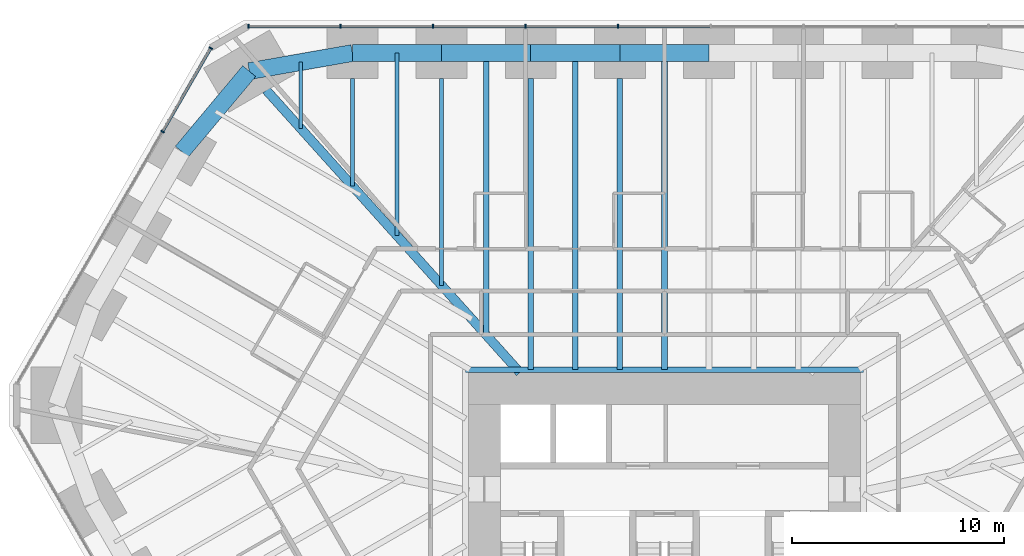
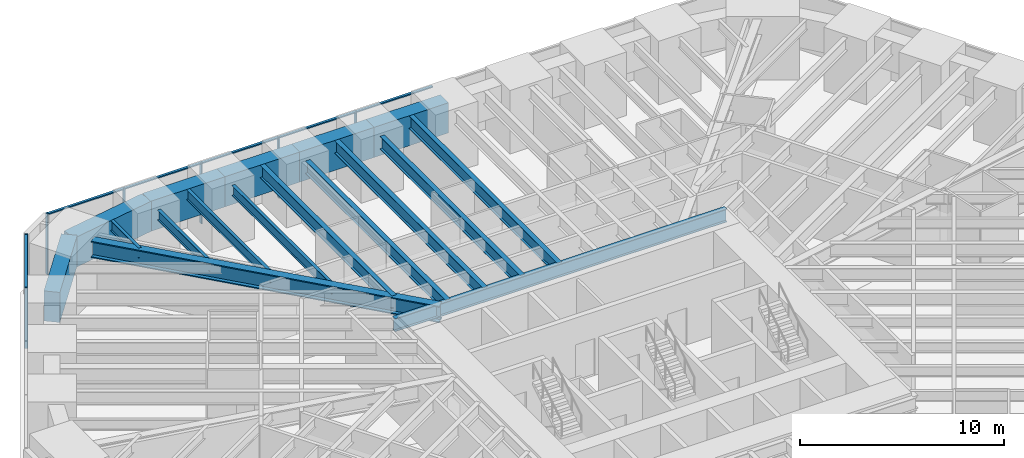
# One storey, part 8 of 17: 17 beams, 13 members, 2 elements without a shape of their own.
"""IFC4 building model written with IfcOpenShell, lengths in metres."""

from ifc_helpers import new_model, si_unit, direction, frame, origin, origin_2d, place, context, subcontext, project, spatial, rectangle, i_section, extrude, material, material_profile, profile_set, type_object, element, aggregate, save


model = new_model("IFC4")

# Units and contexts
model_context = context("Model", 3, precision=1e-05, world=origin(), true_north=direction((0.0, 1.0)))
body_context = subcontext(model_context, "Body", "Model", "MODEL_VIEW")
ifc_project = project(units=[si_unit("LENGTHUNIT", "METRE"), si_unit("AREAUNIT", "SQUARE_METRE"), si_unit("VOLUMEUNIT", "CUBIC_METRE"), si_unit("PLANEANGLEUNIT", "RADIAN"), si_unit("MASSUNIT", "GRAM", prefix="KILO")], contexts=[model_context])

# Site, building, storey
site_placement = place(None, origin())
site = spatial("IfcSite", under=ifc_project, at=site_placement, CompositionType="ELEMENT")
building_placement = place(site_placement, origin())
building = spatial("IfcBuilding", under=site, at=building_placement, Name="Sandreach Pilgrim Tower", CompositionType="ELEMENT")
storey_placement = place(building_placement, frame((0.0, 0.0, 45.800048828125)))
storey = spatial("IfcBuildingStorey", under=building, at=storey_placement, Name="L10", CompositionType="ELEMENT", Elevation=45.800048828125)

# Curtain wall, members
ifc_material_1 = material(Name="Aluminium framed curtain wall", Category="aluminium")
curtain_wall_type = type_object("IfcCurtainWallType", Name="Hostel tower curtain wall", PredefinedType="NOTDEFINED", material=ifc_material_1)
curtain_wall_1_placement = place(storey_placement, origin())
curtain_wall_1 = element("IfcCurtainWall", 1, at=curtain_wall_1_placement, inside=storey, type_object=curtain_wall_type, Name="CW-1 L10 N", PredefinedType="NOTDEFINED")
ifc_material_2 = material(Name="Aluminium extrusion", Category="aluminium")
ifc_material_profile_1 = material_profile(ifc_material_2, rectangle(XDim=0.06494140625, YDim=0.179931640625, at=origin_2d()), Name="CW-1M 65X180")
ifc_profile_set_1 = profile_set([ifc_material_profile_1], Name="Aluminium extrusion")
member_type_1 = type_object("IfcMemberType", Name="CW-1 mullion", PredefinedType="MULLION", material=ifc_profile_set_1)
member_1_placement = place(storey_placement, frame((-19.6396484375, 23.94873046875, 0.0), z_axis=(0.0, 0.0, 1.0), x_axis=(1.0, 0.0, 0.0)))
member_1 = element("IfcMember", 2, at=member_1_placement, type_object=member_type_1, Name="CW-1 mullion 1", PredefinedType="MULLION", context=body_context, shape_type="SweptSolid", body=[
    extrude(rectangle(XDim=0.06494140625, YDim=0.179931640625, at=origin_2d()), origin(), (0.0, 0.0, 1.0), 3.639892578125),
])
member_2_placement = place(storey_placement, frame((-15.300537109375, 23.94873046875, 0.0), z_axis=(0.0, 0.0, 1.0), x_axis=(1.0, 0.0, 0.0)))
member_2 = element("IfcMember", 3, at=member_2_placement, type_object=member_type_1, Name="CW-1 mullion 2", PredefinedType="MULLION", context=body_context, shape_type="SweptSolid", body=[
    extrude(rectangle(XDim=0.06494140625, YDim=0.179931640625, at=origin_2d()), origin(), (0.0, 0.0, 1.0), 3.639892578125),
])
member_3_placement = place(storey_placement, frame((-10.928955078125, 23.94873046875, 0.0), z_axis=(0.0, 0.0, 1.0), x_axis=(1.0, 0.0, 0.0)))
member_3 = element("IfcMember", 4, at=member_3_placement, type_object=member_type_1, Name="CW-1 mullion 3", PredefinedType="MULLION", context=body_context, shape_type="SweptSolid", body=[
    extrude(rectangle(XDim=0.06494140625, YDim=0.179931640625, at=origin_2d()), origin(), (0.0, 0.0, 1.0), 3.639892578125),
])
member_4_placement = place(storey_placement, frame((-6.557373046875, 23.94873046875, 0.0), z_axis=(0.0, 0.0, 1.0), x_axis=(1.0, 0.0, 0.0)))
member_4 = element("IfcMember", 5, at=member_4_placement, type_object=member_type_1, Name="CW-1 mullion 4", PredefinedType="MULLION", context=body_context, shape_type="SweptSolid", body=[
    extrude(rectangle(XDim=0.06494140625, YDim=0.179931640625, at=origin_2d()), origin(), (0.0, 0.0, 1.0), 3.639892578125),
])
member_5_placement = place(storey_placement, frame((-2.185791015625, 23.94873046875, 0.0), z_axis=(0.0, 0.0, 1.0), x_axis=(1.0, 0.0, 0.0)))
member_5 = element("IfcMember", 6, at=member_5_placement, type_object=member_type_1, Name="CW-1 mullion 5", PredefinedType="MULLION", context=body_context, shape_type="SweptSolid", body=[
    extrude(rectangle(XDim=0.06494140625, YDim=0.179931640625, at=origin_2d()), origin(), (0.0, 0.0, 1.0), 3.639892578125),
])

curtain_wall_2_placement = place(storey_placement, origin())
curtain_wall_2 = element("IfcCurtainWall", 7, at=curtain_wall_2_placement, inside=storey, type_object=curtain_wall_type, Name="CW-1 L10 NW", PredefinedType="NOTDEFINED")
member_6_placement = place(storey_placement, frame((-23.697265625, 18.97705078125, 0.0), z_axis=(0.0, 0.0, 1.0), x_axis=(0.5, 0.866025403784, 0.0)))
member_6 = element("IfcMember", 8, at=member_6_placement, type_object=member_type_1, Name="CW-1 mullion 4", PredefinedType="MULLION", context=body_context, shape_type="SweptSolid", body=[
    extrude(rectangle(XDim=0.06494140625, YDim=0.179931640625, at=origin_2d()), origin(), (0.0, 0.0, 1.0), 3.639892578125),
])
member_7_placement = place(storey_placement, frame((-21.42041015625, 22.920654296875, 0.0), z_axis=(0.0, 0.0, 1.0), x_axis=(0.5, 0.866025403784, 0.0)))
member_7 = element("IfcMember", 9, at=member_7_placement, type_object=member_type_1, Name="CW-1 mullion 5", PredefinedType="MULLION", context=body_context, shape_type="SweptSolid", body=[
    extrude(rectangle(XDim=0.06494140625, YDim=0.179931640625, at=origin_2d()), origin(), (0.0, 0.0, 1.0), 3.639892578125),
])

# Member
ifc_material_3 = material(Name="Aluminium extrusion", Category="aluminium")
ifc_material_profile_2 = material_profile(ifc_material_3, rectangle(XDim=0.139892578125, YDim=0.070068359375, at=origin_2d()), Name="CW-1T 140X70")
ifc_profile_set_2 = profile_set([ifc_material_profile_2], Name="Aluminium extrusion")
member_type_2 = type_object("IfcMemberType", Name="CW-1 transom", PredefinedType="USERDEFINED", material=ifc_profile_set_2)
member_8_placement = place(storey_placement, frame((-19.607177734375, 23.94873046875, 3.60498046875), z_axis=(1.0, 0.0, 0.0), x_axis=(0.0, 1.0, 0.0)))
member_8 = element("IfcMember", 10, at=member_8_placement, type_object=member_type_2, Name="CW-1 head transom 1", ObjectType="TRANSOM", PredefinedType="USERDEFINED", context=body_context, shape_type="SweptSolid", body=[
    extrude(rectangle(XDim=0.139892578125, YDim=0.070068359375, at=origin_2d()), origin(), (0.0, 0.0, 1.0), 4.274169921875),
])

member_9_placement = place(storey_placement, frame((-15.26806640625, 23.94873046875, 3.60498046875), z_axis=(1.0, 0.0, 0.0), x_axis=(0.0, 1.0, 0.0)))
member_9 = element("IfcMember", 11, at=member_9_placement, type_object=member_type_2, Name="CW-1 head transom 2", ObjectType="TRANSOM", PredefinedType="USERDEFINED", context=body_context, shape_type="SweptSolid", body=[
    extrude(rectangle(XDim=0.139892578125, YDim=0.070068359375, at=origin_2d()), origin(), (0.0, 0.0, 1.0), 4.306640625),
])

member_10_placement = place(storey_placement, frame((-10.896484375, 23.94873046875, 3.60498046875), z_axis=(1.0, 0.0, 0.0), x_axis=(0.0, 1.0, 0.0)))
member_10 = element("IfcMember", 12, at=member_10_placement, type_object=member_type_2, Name="CW-1 head transom 3", ObjectType="TRANSOM", PredefinedType="USERDEFINED", context=body_context, shape_type="SweptSolid", body=[
    extrude(rectangle(XDim=0.139892578125, YDim=0.070068359375, at=origin_2d()), origin(), (0.0, 0.0, 1.0), 4.306640625),
])

member_11_placement = place(storey_placement, frame((-6.52490234375, 23.94873046875, 3.60498046875), z_axis=(1.0, 0.0, 0.0), x_axis=(0.0, 1.0, 0.0)))
member_11 = element("IfcMember", 13, at=member_11_placement, type_object=member_type_2, Name="CW-1 head transom 4", ObjectType="TRANSOM", PredefinedType="USERDEFINED", context=body_context, shape_type="SweptSolid", body=[
    extrude(rectangle(XDim=0.139892578125, YDim=0.070068359375, at=origin_2d()), origin(), (0.0, 0.0, 1.0), 4.306640625),
])

member_12_placement = place(storey_placement, frame((-2.1533203125, 23.94873046875, 3.60498046875), z_axis=(1.0, 0.0, 0.0), x_axis=(0.0, 1.0, 0.0)))
member_12 = element("IfcMember", 14, at=member_12_placement, type_object=member_type_2, Name="CW-1 head transom 5", ObjectType="TRANSOM", PredefinedType="USERDEFINED", context=body_context, shape_type="SweptSolid", body=[
    extrude(rectangle(XDim=0.139892578125, YDim=0.070068359375, at=origin_2d()), origin(), (0.0, 0.0, 1.0), 4.306640625),
])

aggregate(curtain_wall_1, [member_1, member_2, member_3, member_4, member_5, member_8, member_9, member_10, member_11, member_12])

member_13_placement = place(storey_placement, frame((-23.680908203125, 19.005126953125, 3.60498046875), z_axis=(0.500017500808, 0.866015299452, 0.0), x_axis=(-0.866015299452, 0.500017500808, 0.0)))
member_13 = element("IfcMember", 15, at=member_13_placement, type_object=member_type_2, Name="CW-1 head transom 4", ObjectType="TRANSOM", PredefinedType="USERDEFINED", context=body_context, shape_type="SweptSolid", body=[
    extrude(rectangle(XDim=0.139892578125, YDim=0.070068359375, at=origin_2d()), origin(), (0.0, 0.0, 1.0), 4.488525390625),
])

aggregate(curtain_wall_2, [member_6, member_7, member_13])

# Beams
ifc_material_4 = material(Name="Steel ASTM A992 Grade 50", Category="steel")
ifc_material_profile_3 = material_profile(ifc_material_4, i_section(OverallWidth=0.2666015625, OverallDepth=0.77978515625, WebThickness=0.0166015625, FlangeThickness=0.030029296875, at=origin_2d()), Name="W30X148")
ifc_profile_set_3 = profile_set([ifc_material_profile_3], Name="Steel ASTM A992 Grade 50")
beam_type_1 = type_object("IfcBeamType", Name="Core edge beam W30X148", PredefinedType="BEAM", material=ifc_profile_set_3)
beam_1_placement = place(storey_placement, frame((-9.393310546875, 7.743408203125, 3.25), z_axis=(1.0, 0.0, 0.0), x_axis=(0.0, 1.0, 0.0)))
element("IfcBeam", 16, at=beam_1_placement, inside=storey, type_object=beam_type_1, Name="BM L10 CEN", PredefinedType="BEAM", context=body_context, shape_type="SweptSolid", body=[
    extrude(i_section(OverallWidth=0.2666015625, OverallDepth=0.77978515625, WebThickness=0.0166015625, FlangeThickness=0.030029296875, at=origin_2d()), origin(), (0.0, 0.0, 1.0), 18.78662109375),
])
ifc_material_5 = material(Name="Steel ASTM A992 Grade 50", Category="steel")
ifc_material_profile_4 = material_profile(ifc_material_5, i_section(OverallWidth=0.431884765625, OverallDepth=0.988037109375, WebThickness=0.034423828125, FlangeThickness=0.06201171875, at=origin_2d()), Name="W36X441")
ifc_profile_set_4 = profile_set([ifc_material_profile_4], Name="Steel ASTM A992 Grade 50")
beam_type_2 = type_object("IfcBeamType", Name="Corner girder W36X441", PredefinedType="BEAM", material=ifc_profile_set_4)
beam_2_placement = place(storey_placement, frame((-18.8046875, 20.94189453125, 3.14599609375), z_axis=(0.668127834846, -0.74404650144, 0.0), x_axis=(0.74404650144, 0.668127834846, 0.0)))
element("IfcBeam", 17, at=beam_2_placement, inside=storey, type_object=beam_type_2, Name="BM L10 CG39", PredefinedType="BEAM", context=body_context, shape_type="SweptSolid", body=[
    extrude(i_section(OverallWidth=0.431884765625, OverallDepth=0.988037109375, WebThickness=0.034423828125, FlangeThickness=0.06201171875, at=origin_2d()), origin(), (0.0, 0.0, 1.0), 17.931396484375),
])
ifc_material_6 = material(Name="Steel ASTM A992 Grade 50", Category="steel")
ifc_material_profile_5 = material_profile(ifc_material_6, i_section(OverallWidth=0.1787109375, OverallDepth=0.60205078125, WebThickness=0.010986328125, FlangeThickness=0.014892578125, at=origin_2d()), Name="W24X62")
ifc_profile_set_5 = profile_set([ifc_material_profile_5], Name="Steel ASTM A992 Grade 50")
beam_type_3 = type_object("IfcBeamType", Name="Floor beam W24X62", PredefinedType="BEAM", material=ifc_profile_set_5)
beam_3_placement = place(storey_placement, frame((-14.734619140625, 21.48876953125, 3.3388671875), z_axis=(0.0, -1.0, 0.0), x_axis=(1.0, 0.0, 0.0)))
element("IfcBeam", 18, at=beam_3_placement, inside=storey, type_object=beam_type_3, Name="BM L10 F01", PredefinedType="BEAM", context=body_context, shape_type="SweptSolid", body=[
    extrude(i_section(OverallWidth=0.1787109375, OverallDepth=0.60205078125, WebThickness=0.010986328125, FlangeThickness=0.014892578125, at=origin_2d()), origin(), (0.0, 0.0, 1.0), 5.079345703125),
])
beam_4_placement = place(storey_placement, frame((-10.52490234375, 21.48876953125, 3.3388671875), z_axis=(0.0, -1.0, 0.0), x_axis=(1.0, 0.0, 0.0)))
element("IfcBeam", 19, at=beam_4_placement, inside=storey, type_object=beam_type_3, Name="BM L10 F02", PredefinedType="BEAM", context=body_context, shape_type="SweptSolid", body=[
    extrude(i_section(OverallWidth=0.1787109375, OverallDepth=0.60205078125, WebThickness=0.010986328125, FlangeThickness=0.014892578125, at=origin_2d()), origin(), (0.0, 0.0, 1.0), 9.767822265625),
])
beam_5_placement = place(storey_placement, frame((-12.629638671875, 22.688720703125, 3.3388671875), z_axis=(0.0, -1.0, 0.0), x_axis=(1.0, 0.0, 0.0)))
element("IfcBeam", 20, at=beam_5_placement, inside=storey, type_object=beam_type_3, Name="BM L10 FM01", PredefinedType="BEAM", context=body_context, shape_type="SweptSolid", body=[
    extrude(i_section(OverallWidth=0.1787109375, OverallDepth=0.60205078125, WebThickness=0.010986328125, FlangeThickness=0.014892578125, at=origin_2d()), origin(), (0.0, 0.0, 1.0), 8.62353515625),
])
beam_6_placement = place(storey_placement, frame((-17.17041015625, 22.26171875, 3.3388671875), z_axis=(0.0, -1.0, 0.0), x_axis=(1.0, 0.0, 0.0)))
element("IfcBeam", 21, at=beam_6_placement, inside=storey, type_object=beam_type_3, Name="BM L10 FM39", PredefinedType="BEAM", context=body_context, shape_type="SweptSolid", body=[
    extrude(i_section(OverallWidth=0.1787109375, OverallDepth=0.60205078125, WebThickness=0.010986328125, FlangeThickness=0.014892578125, at=origin_2d()), origin(), (0.0, 0.0, 1.0), 3.1396484375),
])
ifc_material_7 = material(Name="Steel ASTM A992 Grade 50", Category="steel")
ifc_material_profile_6 = material_profile(ifc_material_7, i_section(OverallWidth=0.2666015625, OverallDepth=0.761962890625, WebThickness=0.014404296875, FlangeThickness=0.021484375, at=origin_2d()), Name="W30X116")
ifc_profile_set_6 = profile_set([ifc_material_profile_6], Name="Steel ASTM A992 Grade 50")
beam_type_4 = type_object("IfcBeamType", Name="Floor beam W30X116", PredefinedType="BEAM", material=ifc_profile_set_6)
for number, where, z_axis, x_axis, name in (
    (22, (-6.31494140625, 21.48876953125, 3.259033203125), (0.0, -1.0, 0.0), (1.0, 0.0, 0.0), "BM L10 F03"),
    (23, (-2.10498046875, 21.48876953125, 3.259033203125), (0.0, -1.0, 0.0), (1.0, 0.0, 0.0), "BM L10 F04"),
):
    element("IfcBeam", number, at=place(storey_placement, frame(where, z_axis=z_axis, x_axis=x_axis)), inside=storey, type_object=beam_type_4, Name=name, PredefinedType="BEAM", context=body_context, shape_type="SweptSolid", body=[
        extrude(i_section(OverallWidth=0.2666015625, OverallDepth=0.761962890625, WebThickness=0.014404296875, FlangeThickness=0.021484375, at=origin_2d()), origin(), (0.0, 0.0, 1.0), 13.745361328125),
    ])
beam_7_placement = place(storey_placement, frame((-8.419921875, 22.688720703125, 3.259033203125), z_axis=(0.0, -1.0, 0.0), x_axis=(1.0, 0.0, 0.0)))
element("IfcBeam", 24, at=beam_7_placement, inside=storey, type_object=beam_type_4, Name="BM L10 FM02", PredefinedType="BEAM", context=body_context, shape_type="SweptSolid", body=[
    extrude(i_section(OverallWidth=0.2666015625, OverallDepth=0.761962890625, WebThickness=0.014404296875, FlangeThickness=0.021484375, at=origin_2d()), origin(), (0.0, 0.0, 1.0), 13.311767578125),
])
for number, where, z_axis, x_axis, name in (
    (25, (-4.2099609375, 22.688720703125, 3.259033203125), (0.0, -1.0, 0.0), (1.0, 0.0, 0.0), "BM L10 FM03"),
    (26, (0.0, 22.688720703125, 3.259033203125), (0.0, -1.0, 0.0), (1.0, 0.0, 0.0), "BM L10 FM04"),
):
    element("IfcBeam", number, at=place(storey_placement, frame(where, z_axis=z_axis, x_axis=x_axis)), inside=storey, type_object=beam_type_4, Name=name, PredefinedType="BEAM", context=body_context, shape_type="SweptSolid", body=[
        extrude(i_section(OverallWidth=0.2666015625, OverallDepth=0.761962890625, WebThickness=0.014404296875, FlangeThickness=0.021484375, at=origin_2d()), origin(), (0.0, 0.0, 1.0), 14.9453125),
    ])
ifc_material_8 = material(Name="Concrete 10000 psi", Category="concrete")
ifc_material_profile_7 = material_profile(ifc_material_8, rectangle(XDim=0.800048828125, YDim=1.800048828125, at=origin_2d()), Name="RC800X1800")
ifc_profile_set_7 = profile_set([ifc_material_profile_7], Name="Concrete 10000 psi")
beam_type_5 = type_object("IfcBeamType", Name="Spandrel beam RC800X1800", PredefinedType="SPANDREL", material=ifc_profile_set_7)
beam_8_placement = place(storey_placement, frame((-14.734619140625, 22.688720703125, 2.739990234375), z_axis=(1.0, 0.0, 0.0), x_axis=(0.0, 1.0, 0.0)))
element("IfcBeam", 27, at=beam_8_placement, inside=storey, type_object=beam_type_5, Name="BM L10 SP01", PredefinedType="SPANDREL", context=body_context, shape_type="SweptSolid", body=[
    extrude(rectangle(XDim=0.800048828125, YDim=1.800048828125, at=origin_2d()), origin(), (0.0, 0.0, 1.0), 4.209716796875),
])
for number, where, z_axis, x_axis, name in (
    (28, (-10.52490234375, 22.688720703125, 2.739990234375), (1.0, 0.0, 0.0), (0.0, 1.0, 0.0), "BM L10 SP02"),
    (29, (-6.31494140625, 22.688720703125, 2.739990234375), (1.0, 0.0, 0.0), (0.0, 1.0, 0.0), "BM L10 SP03"),
    (30, (-2.10498046875, 22.688720703125, 2.739990234375), (1.0, 0.0, 0.0), (0.0, 1.0, 0.0), "BM L10 SP04"),
):
    element("IfcBeam", number, at=place(storey_placement, frame(where, z_axis=z_axis, x_axis=x_axis)), inside=storey, type_object=beam_type_5, Name=name, PredefinedType="SPANDREL", context=body_context, shape_type="SweptSolid", body=[
        extrude(rectangle(XDim=0.800048828125, YDim=1.800048828125, at=origin_2d()), origin(), (0.0, 0.0, 1.0), 4.2099609375),
    ])
beam_9_placement = place(storey_placement, frame((-22.787841796875, 18.031982421875, 2.739990234375), z_axis=(0.641665295114, 0.766984777584, 0.0), x_axis=(-0.766984777584, 0.641665295114, 0.0)))
element("IfcBeam", 31, at=beam_9_placement, inside=storey, type_object=beam_type_5, Name="BM L10 SP38", PredefinedType="SPANDREL", context=body_context, shape_type="SweptSolid", body=[
    extrude(rectangle(XDim=0.800048828125, YDim=1.800048828125, at=origin_2d()), origin(), (0.0, 0.0, 1.0), 4.9580078125),
])
beam_10_placement = place(storey_placement, frame((-19.6064453125, 21.834716796875, 2.739990234375), z_axis=(0.984981186582, 0.172661698355, 0.0), x_axis=(-0.172661698355, 0.984981186582, 0.0)))
element("IfcBeam", 32, at=beam_10_placement, inside=storey, type_object=beam_type_5, Name="BM L10 SP39", PredefinedType="SPANDREL", context=body_context, shape_type="SweptSolid", body=[
    extrude(rectangle(XDim=0.800048828125, YDim=1.800048828125, at=origin_2d()), origin(), (0.0, 0.0, 1.0), 4.946044921875),
])

save(model, "model.ifc")
